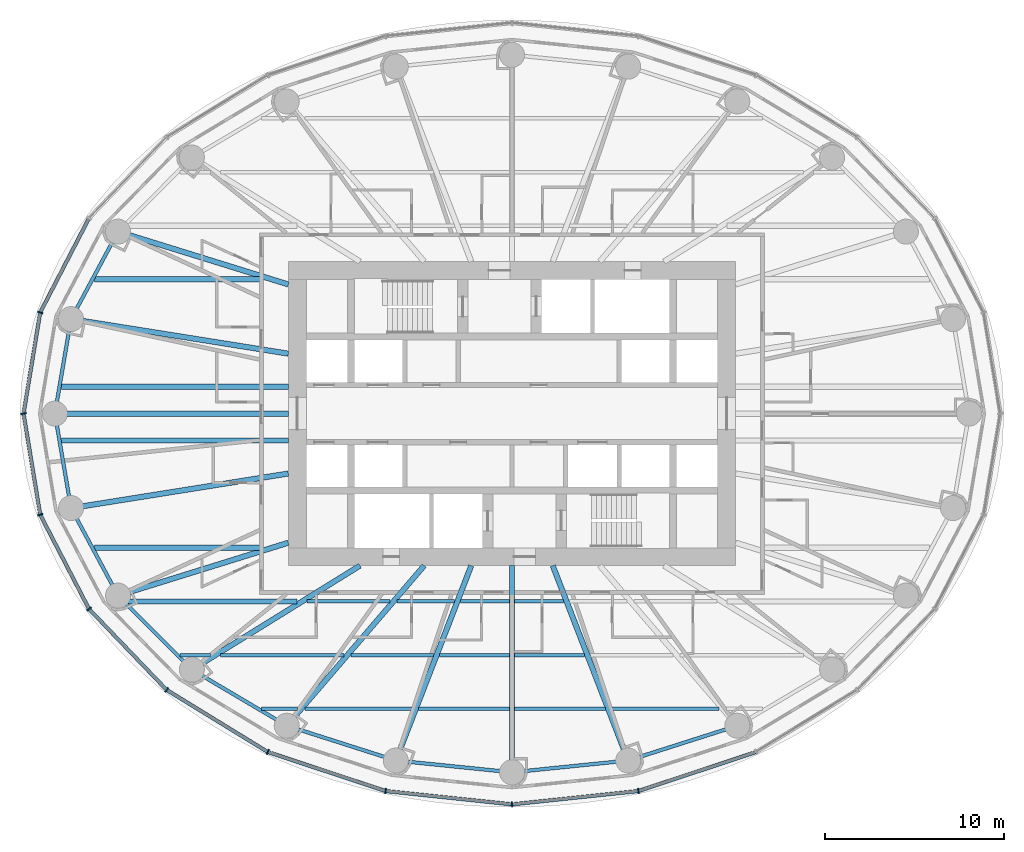
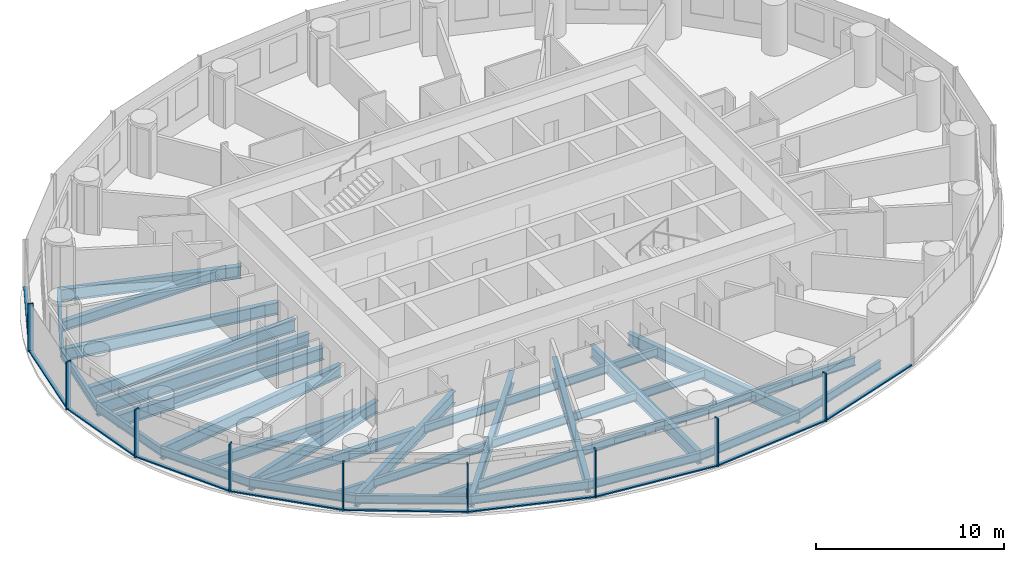
# One storey, part 2 of 14: 39 beams, 19 members, 3 elements without a shape of their own.
"""IFC4 building model written with IfcOpenShell, lengths in metres."""

from ifc_helpers import new_model, si_unit, direction, frame, origin, origin_2d, place, context, subcontext, project, spatial, rectangle, i_section, extrude, material, material_profile, profile_set, type_object, element, aggregate, save


model = new_model("IFC4")

# Units and contexts
model_context = context("Model", 3, precision=1e-05, world=origin(), true_north=direction((0.0, 1.0)))
body_context = subcontext(model_context, "Body", "Model", "MODEL_VIEW")
ifc_project = project(units=[si_unit("LENGTHUNIT", "METRE"), si_unit("AREAUNIT", "SQUARE_METRE"), si_unit("VOLUMEUNIT", "CUBIC_METRE"), si_unit("PLANEANGLEUNIT", "RADIAN"), si_unit("MASSUNIT", "GRAM", prefix="KILO")], contexts=[model_context])

# Site, building, storey
site_placement = place(None, origin())
site = spatial("IfcSite", under=ifc_project, at=site_placement, CompositionType="ELEMENT")
building_placement = place(site_placement, origin())
building = spatial("IfcBuilding", under=site, at=building_placement, Name="Hankou Lantern Tower", CompositionType="ELEMENT")
storey_placement = place(building_placement, frame((0.0, 0.0, 67.199951171875)))
storey = spatial("IfcBuildingStorey", under=building, at=storey_placement, Name="L16", CompositionType="ELEMENT", Elevation=67.199951171875)

# Beams
ifc_material_1 = material(Name="Steel Q355B", Category="steel")
ifc_material_profile_1 = material_profile(ifc_material_1, i_section(OverallWidth=0.199951171875, OverallDepth=0.550048828125, WebThickness=0.010009765625, FlangeThickness=0.01611328125, FilletRadius=0.012939453125, at=origin_2d()), Name="HN550x200x10x16")
ifc_profile_set_1 = profile_set([ifc_material_profile_1], Name="Steel Q355B")
beam_type_1 = type_object("IfcBeamType", Name="EB6 RING BEAM HN550x200x10x16", PredefinedType="SPANDREL", material=ifc_profile_set_1)
beam_1_placement = place(storey_placement, frame((-22.01904296875, 10.170166015625, -0.454833984375), z_axis=(-0.473609096023, -0.880735161194, 0.0), x_axis=(0.880735161194, -0.473609096023, 0.0)))
element("IfcBeam", 1, at=beam_1_placement, inside=storey, type_object=beam_type_1, Name="Ring beam R11-R12 L16", PredefinedType="SPANDREL", context=body_context, shape_type="SweptSolid", body=[
    extrude(i_section(OverallWidth=0.199951171875, OverallDepth=0.550048828125, WebThickness=0.010009765625, FlangeThickness=0.01611328125, FilletRadius=0.012939453125, at=origin_2d()), origin(), (0.0, 0.0, 1.0), 5.548828125),
])
for number, where, z_axis, x_axis, name in (
    (2, (-24.64697265625, 5.283203125, -0.454833984375), (-0.168489691988, -0.985703415685, 0.0), (0.985703415685, -0.168489691988, 0.0), "Ring beam R12-R13 L16"),
    (3, (-25.550048828125, 0.0, -0.454833984375), (0.168489691988, -0.985703415685, 0.0), (0.985703415685, 0.168489691988, 0.0), "Ring beam R13-R14 L16"),
):
    element("IfcBeam", number, at=place(storey_placement, frame(where, z_axis=z_axis, x_axis=x_axis)), inside=storey, type_object=beam_type_1, Name=name, PredefinedType="SPANDREL", context=body_context, shape_type="SweptSolid", body=[
        extrude(i_section(OverallWidth=0.199951171875, OverallDepth=0.550048828125, WebThickness=0.010009765625, FlangeThickness=0.01611328125, FilletRadius=0.012939453125, at=origin_2d()), origin(), (0.0, 0.0, 1.0), 5.35986328125),
    ])
beam_2_placement = place(storey_placement, frame((-24.64697265625, -5.283203125, -0.454833984375), z_axis=(0.473609096023, -0.880735161194, 0.0), x_axis=(0.880735161194, 0.473609096023, 0.0)))
element("IfcBeam", 4, at=beam_2_placement, inside=storey, type_object=beam_type_1, Name="Ring beam R14-R15 L16", PredefinedType="SPANDREL", context=body_context, shape_type="SweptSolid", body=[
    extrude(i_section(OverallWidth=0.199951171875, OverallDepth=0.550048828125, WebThickness=0.010009765625, FlangeThickness=0.01611328125, FilletRadius=0.012939453125, at=origin_2d()), origin(), (0.0, 0.0, 1.0), 5.548828125),
])
beam_3_placement = place(storey_placement, frame((-22.01904296875, -10.170166015625, -0.454833984375), z_axis=(0.705727798394, -0.708483079949, 0.0), x_axis=(0.708483079949, 0.705727798394, 0.0)))
element("IfcBeam", 5, at=beam_3_placement, inside=storey, type_object=beam_type_1, Name="Ring beam R15-R16 L16", PredefinedType="SPANDREL", context=body_context, shape_type="SweptSolid", body=[
    extrude(i_section(OverallWidth=0.199951171875, OverallDepth=0.550048828125, WebThickness=0.010009765625, FlangeThickness=0.01611328125, FilletRadius=0.012939453125, at=origin_2d()), origin(), (0.0, 0.0, 1.0), 5.84814453125),
])
beam_4_placement = place(storey_placement, frame((-17.891845703125, -14.3134765625, -0.454833984375), z_axis=(0.860881533543, -0.508805449268, 0.0), x_axis=(0.508805449268, 0.860881533543, 0.0)))
element("IfcBeam", 6, at=beam_4_placement, inside=storey, type_object=beam_type_1, Name="Ring beam R16-R17 L16", PredefinedType="SPANDREL", context=body_context, shape_type="SweptSolid", body=[
    extrude(i_section(OverallWidth=0.199951171875, OverallDepth=0.550048828125, WebThickness=0.010009765625, FlangeThickness=0.01611328125, FilletRadius=0.012939453125, at=origin_2d()), origin(), (0.0, 0.0, 1.0), 6.15771484375),
])
beam_5_placement = place(storey_placement, frame((-12.5908203125, -17.446533203125, -0.454833984375), z_axis=(0.952690479428, -0.303942182671, 0.0), x_axis=(0.303942182671, 0.952690479428, 0.0)))
element("IfcBeam", 7, at=beam_5_placement, inside=storey, type_object=beam_type_1, Name="Ring beam R17-R18 L16", PredefinedType="SPANDREL", context=body_context, shape_type="SweptSolid", body=[
    extrude(i_section(OverallWidth=0.199951171875, OverallDepth=0.550048828125, WebThickness=0.010009765625, FlangeThickness=0.01611328125, FilletRadius=0.012939453125, at=origin_2d()), origin(), (0.0, 0.0, 1.0), 6.398681640625),
])
for number, where, z_axis, x_axis, name in (
    (8, (-6.494873046875, -19.391357421875, -0.454833984375), (0.994896616842, -0.100899562915, 0.0), (0.100899562915, 0.994896616842, 0.0), "Ring beam R18-R19 L16"),
    (9, (0.0, -20.050048828125, -0.454833984375), (0.994896616842, 0.100899562915, 0.0), (-0.100899562915, 0.994896616842, 0.0), "Ring beam R19-R20 L16"),
):
    element("IfcBeam", number, at=place(storey_placement, frame(where, z_axis=z_axis, x_axis=x_axis)), inside=storey, type_object=beam_type_1, Name=name, PredefinedType="SPANDREL", context=body_context, shape_type="SweptSolid", body=[
        extrude(i_section(OverallWidth=0.199951171875, OverallDepth=0.550048828125, WebThickness=0.010009765625, FlangeThickness=0.01611328125, FilletRadius=0.012939453125, at=origin_2d()), origin(), (0.0, 0.0, 1.0), 6.528076171875),
    ])
beam_6_placement = place(storey_placement, frame((6.494873046875, -19.391357421875, -0.454833984375), z_axis=(0.952690479428, 0.303942182671, 0.0), x_axis=(-0.303942182671, 0.952690479428, 0.0)))
element("IfcBeam", 10, at=beam_6_placement, inside=storey, type_object=beam_type_1, Name="Ring beam R20-R21 L16", PredefinedType="SPANDREL", context=body_context, shape_type="SweptSolid", body=[
    extrude(i_section(OverallWidth=0.199951171875, OverallDepth=0.550048828125, WebThickness=0.010009765625, FlangeThickness=0.01611328125, FilletRadius=0.012939453125, at=origin_2d()), origin(), (0.0, 0.0, 1.0), 6.398681640625),
])

# Curtain wall, member
ifc_material_2 = material(Name="Glass, dark grey tinted laminated", Category="glass")
curtain_wall_type = type_object("IfcCurtainWallType", Name="CWA OUTER SKIN LOW-RISE", PredefinedType="USERDEFINED", material=ifc_material_2)
curtain_wall_1_placement = place(storey_placement, origin())
curtain_wall_1 = element("IfcCurtainWall", 11, at=curtain_wall_1_placement, inside=storey, type_object=curtain_wall_type, Name="CWA L16 OS2", ObjectType="OUTER SKIN LOW-RISE", PredefinedType="USERDEFINED")
ifc_material_3 = material(Name="Aluminium, black anodised", Category="aluminium")
ifc_material_profile_2 = material_profile(ifc_material_3, rectangle(XDim=0.080078125, YDim=0.300048828125, at=origin_2d()), Name="MU1 80X300")
ifc_profile_set_2 = profile_set([ifc_material_profile_2], Name="Aluminium, black anodised")
member_type_1 = type_object("IfcMemberType", Name="MU1 OUTER SKIN MULLION 80X300", PredefinedType="MULLION", material=ifc_profile_set_2)
member_1_placement = place(storey_placement, frame((-26.369873046875, 5.652587890625, 0.0), z_axis=(0.0, 0.0, 1.0), x_axis=(-0.317595577365, -0.94822626479, 0.0)))
member_1 = element("IfcMember", 12, at=member_1_placement, type_object=member_type_1, Name="CWA mullion 6", PredefinedType="MULLION", context=body_context, shape_type="SweptSolid", body=[
    extrude(rectangle(XDim=0.080078125, YDim=0.300048828125, at=origin_2d()), origin(), (0.0, 0.0, 1.0), 3.1201171875),
])

# Curtain wall, members
curtain_wall_2_placement = place(storey_placement, origin())
curtain_wall_2 = element("IfcCurtainWall", 13, at=curtain_wall_2_placement, inside=storey, type_object=curtain_wall_type, Name="CWA L16 OS3", ObjectType="OUTER SKIN LOW-RISE", PredefinedType="USERDEFINED")
member_2_placement = place(storey_placement, frame((-27.300048828125, 0.0, 0.0), z_axis=(0.0, 0.0, 1.0), x_axis=(0.162381515188, -0.986728049427, 0.0)))
member_2 = element("IfcMember", 14, at=member_2_placement, type_object=member_type_1, Name="CWA mullion 1", PredefinedType="MULLION", context=body_context, shape_type="SweptSolid", body=[
    extrude(rectangle(XDim=0.080078125, YDim=0.300048828125, at=origin_2d()), origin(), (0.0, 0.0, 1.0), 3.1201171875),
])
member_3_placement = place(storey_placement, frame((-26.369873046875, -5.652587890625, 0.0), z_axis=(0.0, 0.0, 1.0), x_axis=(0.317595577365, -0.94822626479, 0.0)))
member_3 = element("IfcMember", 15, at=member_3_placement, type_object=member_type_1, Name="CWA mullion 2", PredefinedType="MULLION", context=body_context, shape_type="SweptSolid", body=[
    extrude(rectangle(XDim=0.080078125, YDim=0.300048828125, at=origin_2d()), origin(), (0.0, 0.0, 1.0), 3.1201171875),
])
member_4_placement = place(storey_placement, frame((-23.642578125, -10.919921875, 0.0), z_axis=(0.0, 0.0, 1.0), x_axis=(0.585205735974, -0.810884854084, 0.0)))
member_4 = element("IfcMember", 16, at=member_4_placement, type_object=member_type_1, Name="CWA mullion 3", PredefinedType="MULLION", context=body_context, shape_type="SweptSolid", body=[
    extrude(rectangle(XDim=0.080078125, YDim=0.300048828125, at=origin_2d()), origin(), (0.0, 0.0, 1.0), 3.1201171875),
])
member_5_placement = place(storey_placement, frame((-19.303955078125, -15.443115234375, 0.0), z_axis=(0.0, 0.0, 1.0), x_axis=(0.780868809444, -0.624695047553, 0.0)))
member_5 = element("IfcMember", 17, at=member_5_placement, type_object=member_type_1, Name="CWA mullion 4", PredefinedType="MULLION", context=body_context, shape_type="SweptSolid", body=[
    extrude(rectangle(XDim=0.080078125, YDim=0.300048828125, at=origin_2d()), origin(), (0.0, 0.0, 1.0), 3.1201171875),
])
member_6_placement = place(storey_placement, frame((-13.64990234375, -18.9140625, 0.0), z_axis=(0.0, 0.0, 1.0), x_axis=(0.907841299004, -0.419313934686, 0.0)))
member_6 = element("IfcMember", 18, at=member_6_placement, type_object=member_type_1, Name="CWA mullion 5", PredefinedType="MULLION", context=body_context, shape_type="SweptSolid", body=[
    extrude(rectangle(XDim=0.080078125, YDim=0.300048828125, at=origin_2d()), origin(), (0.0, 0.0, 1.0), 3.1201171875),
])
member_7_placement = place(storey_placement, frame((-7.065673828125, -21.095703125, 0.0), z_axis=(0.0, 0.0, 1.0), x_axis=(0.977787659625, -0.209597931016, 0.0)))
member_7 = element("IfcMember", 19, at=member_7_placement, type_object=member_type_1, Name="CWA mullion 6", PredefinedType="MULLION", context=body_context, shape_type="SweptSolid", body=[
    extrude(rectangle(XDim=0.080078125, YDim=0.300048828125, at=origin_2d()), origin(), (0.0, 0.0, 1.0), 3.1201171875),
])

curtain_wall_3_placement = place(storey_placement, origin())
curtain_wall_3 = element("IfcCurtainWall", 20, at=curtain_wall_3_placement, inside=storey, type_object=curtain_wall_type, Name="CWA L16 OS4", ObjectType="OUTER SKIN LOW-RISE", PredefinedType="USERDEFINED")
member_8_placement = place(storey_placement, frame((0.0, -21.840087890625, 0.0), z_axis=(0.0, 0.0, 1.0), x_axis=(0.994499359107, 0.104742659579, 0.0)))
member_8 = element("IfcMember", 21, at=member_8_placement, type_object=member_type_1, Name="CWA mullion 1", PredefinedType="MULLION", context=body_context, shape_type="SweptSolid", body=[
    extrude(rectangle(XDim=0.080078125, YDim=0.300048828125, at=origin_2d()), origin(), (0.0, 0.0, 1.0), 3.1201171875),
])
member_9_placement = place(storey_placement, frame((7.065673828125, -21.095703125, 0.0), z_axis=(0.0, 0.0, 1.0), x_axis=(0.977787659625, 0.209597931016, 0.0)))
member_9 = element("IfcMember", 22, at=member_9_placement, type_object=member_type_1, Name="CWA mullion 2", PredefinedType="MULLION", context=body_context, shape_type="SweptSolid", body=[
    extrude(rectangle(XDim=0.080078125, YDim=0.300048828125, at=origin_2d()), origin(), (0.0, 0.0, 1.0), 3.1201171875),
])

# Beams
ifc_material_4 = material(Name="Steel Q355B", Category="steel")
ifc_material_profile_3 = material_profile(ifc_material_4, i_section(OverallWidth=0.300048828125, OverallDepth=0.800048828125, WebThickness=0.013916015625, FlangeThickness=0.02587890625, FilletRadius=0.01806640625, at=origin_2d()), Name="HN800x300x14x26")
ifc_profile_set_3 = profile_set([ifc_material_profile_3], Name="Steel Q355B")
beam_type_2 = type_object("IfcBeamType", Name="RB11 RADIAL BEAM HN800x300x14x26", PredefinedType="BEAM", material=ifc_profile_set_3)
beam_7_placement = place(storey_placement, frame((-12.5, 7.216796875, -0.579833984375), z_axis=(-0.955087327755, 0.29632447817, 0.0), x_axis=(-0.29632447817, -0.955087327755, 0.0)))
element("IfcBeam", 23, at=beam_7_placement, inside=storey, type_object=beam_type_2, Name="Radial beam R11 L16", PredefinedType="BEAM", context=body_context, shape_type="SweptSolid", body=[
    extrude(i_section(OverallWidth=0.300048828125, OverallDepth=0.800048828125, WebThickness=0.013916015625, FlangeThickness=0.02587890625, FilletRadius=0.01806640625, at=origin_2d()), origin(), (0.0, 0.0, 1.0), 9.966552734375),
])
for number, where, z_axis, x_axis, name in (
    (24, (-12.5, 3.349365234375, -0.579833984375), (-0.987563081343, 0.157223281893, 0.0), (-0.157223281893, -0.987563081343, 0.0), "Radial beam R12 L16"),
    (25, (-12.5, -3.349365234375, -0.579833984375), (-0.987563081343, -0.157223281893, 0.0), (0.157223281893, -0.987563081343, 0.0), "Radial beam R14 L16"),
):
    element("IfcBeam", number, at=place(storey_placement, frame(where, z_axis=z_axis, x_axis=x_axis)), inside=storey, type_object=beam_type_2, Name=name, PredefinedType="BEAM", context=body_context, shape_type="SweptSolid", body=[
        extrude(i_section(OverallWidth=0.300048828125, OverallDepth=0.800048828125, WebThickness=0.013916015625, FlangeThickness=0.02587890625, FilletRadius=0.01806640625, at=origin_2d()), origin(), (0.0, 0.0, 1.0), 12.300048828125),
    ])
beam_8_placement = place(storey_placement, frame((-12.5, -7.216796875, -0.579833984375), z_axis=(-0.955087327755, -0.29632447817, 0.0), x_axis=(0.29632447817, -0.955087327755, 0.0)))
element("IfcBeam", 26, at=beam_8_placement, inside=storey, type_object=beam_type_2, Name="Radial beam R15 L16", PredefinedType="BEAM", context=body_context, shape_type="SweptSolid", body=[
    extrude(i_section(OverallWidth=0.300048828125, OverallDepth=0.800048828125, WebThickness=0.013916015625, FlangeThickness=0.02587890625, FilletRadius=0.01806640625, at=origin_2d()), origin(), (0.0, 0.0, 1.0), 9.966552734375),
])
beam_9_placement = place(storey_placement, frame((-8.5, -8.5, -0.579833984375), z_axis=(-0.850286343288, -0.526320372414, 0.0), x_axis=(0.526320372414, -0.850286343288, 0.0)))
element("IfcBeam", 27, at=beam_9_placement, inside=storey, type_object=beam_type_2, Name="Radial beam R16 L16", PredefinedType="BEAM", context=body_context, shape_type="SweptSolid", body=[
    extrude(i_section(OverallWidth=0.300048828125, OverallDepth=0.800048828125, WebThickness=0.013916015625, FlangeThickness=0.02587890625, FilletRadius=0.01806640625, at=origin_2d()), origin(), (0.0, 0.0, 1.0), 11.04541015625),
])
beam_10_placement = place(storey_placement, frame((-4.907470703125, -8.5, -0.579833984375), z_axis=(-0.651519061225, -0.758632264579, 0.0), x_axis=(0.758632264579, -0.651519061225, 0.0)))
element("IfcBeam", 28, at=beam_10_placement, inside=storey, type_object=beam_type_2, Name="Radial beam R17 L16", PredefinedType="BEAM", context=body_context, shape_type="SweptSolid", body=[
    extrude(i_section(OverallWidth=0.300048828125, OverallDepth=0.800048828125, WebThickness=0.013916015625, FlangeThickness=0.02587890625, FilletRadius=0.01806640625, at=origin_2d()), origin(), (0.0, 0.0, 1.0), 11.79296875),
])
beam_11_placement = place(storey_placement, frame((-2.277587890625, -8.5, -0.579833984375), z_axis=(-0.361089103374, -0.932531318201, 0.0), x_axis=(0.932531318201, -0.361089103374, 0.0)))
element("IfcBeam", 29, at=beam_11_placement, inside=storey, type_object=beam_type_2, Name="Radial beam R18 L16", PredefinedType="BEAM", context=body_context, shape_type="SweptSolid", body=[
    extrude(i_section(OverallWidth=0.300048828125, OverallDepth=0.800048828125, WebThickness=0.013916015625, FlangeThickness=0.02587890625, FilletRadius=0.01806640625, at=origin_2d()), origin(), (0.0, 0.0, 1.0), 11.679443359375),
])
beam_12_placement = place(storey_placement, frame((0.0, -8.5, -0.579833984375), z_axis=(0.0, -1.0, 0.0), x_axis=(1.0, 0.0, 0.0)))
element("IfcBeam", 30, at=beam_12_placement, inside=storey, type_object=beam_type_2, Name="Radial beam R19 L16", PredefinedType="BEAM", context=body_context, shape_type="SweptSolid", body=[
    extrude(i_section(OverallWidth=0.300048828125, OverallDepth=0.800048828125, WebThickness=0.013916015625, FlangeThickness=0.02587890625, FilletRadius=0.01806640625, at=origin_2d()), origin(), (0.0, 0.0, 1.0), 11.550048828125),
])
beam_13_placement = place(storey_placement, frame((2.277587890625, -8.5, -0.579833984375), z_axis=(0.361089103374, -0.932531318201, 0.0), x_axis=(0.932531318201, 0.361089103374, 0.0)))
element("IfcBeam", 31, at=beam_13_placement, inside=storey, type_object=beam_type_2, Name="Radial beam R20 L16", PredefinedType="BEAM", context=body_context, shape_type="SweptSolid", body=[
    extrude(i_section(OverallWidth=0.300048828125, OverallDepth=0.800048828125, WebThickness=0.013916015625, FlangeThickness=0.02587890625, FilletRadius=0.01806640625, at=origin_2d()), origin(), (0.0, 0.0, 1.0), 11.679443359375),
])
ifc_material_5 = material(Name="Steel Q355B", Category="steel")
ifc_material_profile_4 = material_profile(ifc_material_5, i_section(OverallWidth=0.300048828125, OverallDepth=0.85009765625, WebThickness=0.01611328125, FlangeThickness=0.027099609375, FilletRadius=0.01806640625, at=origin_2d()), Name="HN850x300x16x27")
ifc_profile_set_4 = profile_set([ifc_material_profile_4], Name="Steel Q355B")
beam_type_3 = type_object("IfcBeamType", Name="RB12 RADIAL BEAM HN850x300x16x27", PredefinedType="BEAM", material=ifc_profile_set_4)
beam_14_placement = place(storey_placement, frame((-12.5, 0.0, -0.60498046875), z_axis=(-1.0, 0.0, 0.0), x_axis=(0.0, -1.0, 0.0)))
element("IfcBeam", 32, at=beam_14_placement, inside=storey, type_object=beam_type_3, Name="Radial beam R13 L16", PredefinedType="BEAM", context=body_context, shape_type="SweptSolid", body=[
    extrude(i_section(OverallWidth=0.300048828125, OverallDepth=0.85009765625, WebThickness=0.01611328125, FlangeThickness=0.027099609375, FilletRadius=0.01806640625, at=origin_2d()), origin(), (0.0, 0.0, 1.0), 13.050048828125),
])
ifc_material_6 = material(Name="Steel Q355B", Category="steel")
ifc_material_profile_5 = material_profile(ifc_material_6, i_section(OverallWidth=0.300048828125, OverallDepth=0.800048828125, WebThickness=0.013916015625, FlangeThickness=0.02587890625, FilletRadius=0.01806640625, at=origin_2d()), Name="HN800x300x14x26")
ifc_profile_set_5 = profile_set([ifc_material_profile_5], Name="Steel Q355B")
beam_type_4 = type_object("IfcBeamType", Name="SB11 SECONDARY BEAM HN800x300x14x26", PredefinedType="JOIST", material=ifc_profile_set_5)
for number, where, z_axis, x_axis, name in (
    (33, (-25.192138671875, -1.5, -0.579833984375), (1.0, 0.0, 0.0), (0.0, 1.0, 0.0), "Floor joist J029 L16"),
    (34, (-25.192138671875, 1.5, -0.579833984375), (1.0, 0.0, 0.0), (0.0, 1.0, 0.0), "Floor joist J031 L16"),
):
    element("IfcBeam", number, at=place(storey_placement, frame(where, z_axis=z_axis, x_axis=x_axis)), inside=storey, type_object=beam_type_4, Name=name, PredefinedType="JOIST", context=body_context, shape_type="SweptSolid", body=[
        extrude(i_section(OverallWidth=0.300048828125, OverallDepth=0.800048828125, WebThickness=0.013916015625, FlangeThickness=0.02587890625, FilletRadius=0.01806640625, at=origin_2d()), origin(), (0.0, 0.0, 1.0), 12.692138671875),
    ])
ifc_material_7 = material(Name="Steel Q355B", Category="steel")
ifc_material_profile_6 = material_profile(ifc_material_7, i_section(OverallWidth=0.199951171875, OverallDepth=0.550048828125, WebThickness=0.010009765625, FlangeThickness=0.01611328125, FilletRadius=0.012939453125, at=origin_2d()), Name="HN550x200x10x16")
ifc_profile_set_6 = profile_set([ifc_material_profile_6], Name="Steel Q355B")
beam_type_5 = type_object("IfcBeamType", Name="SB6 SECONDARY BEAM HN550x200x10x16", PredefinedType="JOIST", material=ifc_profile_set_6)
beam_15_placement = place(storey_placement, frame((-13.99560546875, -16.5, -0.454833984375), z_axis=(1.0, 0.0, 0.0), x_axis=(0.0, 1.0, 0.0)))
element("IfcBeam", 35, at=beam_15_placement, inside=storey, type_object=beam_type_5, Name="Floor joist J001 L16", PredefinedType="JOIST", context=body_context, shape_type="SweptSolid", body=[
    extrude(i_section(OverallWidth=0.199951171875, OverallDepth=0.550048828125, WebThickness=0.010009765625, FlangeThickness=0.01611328125, FilletRadius=0.012939453125, at=origin_2d()), origin(), (0.0, 0.0, 1.0), 2.019775390625),
])
beam_16_placement = place(storey_placement, frame((-11.580322265625, -16.5, -0.454833984375), z_axis=(1.0, 0.0, 0.0), x_axis=(0.0, 1.0, 0.0)))
element("IfcBeam", 36, at=beam_16_placement, inside=storey, type_object=beam_type_5, Name="Floor joist J002 L16", PredefinedType="JOIST", context=body_context, shape_type="SweptSolid", body=[
    extrude(i_section(OverallWidth=0.199951171875, OverallDepth=0.550048828125, WebThickness=0.010009765625, FlangeThickness=0.01611328125, FilletRadius=0.012939453125, at=origin_2d()), origin(), (0.0, 0.0, 1.0), 6.044189453125),
])
for number, where, z_axis, x_axis, name in (
    (37, (-5.21435546875, -16.5, -0.454833984375), (1.0, 0.0, 0.0), (0.0, 1.0, 0.0), "Floor joist J003 L16"),
    (38, (0.14990234375, -16.5, -0.454833984375), (1.0, 0.0, 0.0), (0.0, 1.0, 0.0), "Floor joist J004 L16"),
):
    element("IfcBeam", number, at=place(storey_placement, frame(where, z_axis=z_axis, x_axis=x_axis)), inside=storey, type_object=beam_type_5, Name=name, PredefinedType="JOIST", context=body_context, shape_type="SweptSolid", body=[
        extrude(i_section(OverallWidth=0.199951171875, OverallDepth=0.550048828125, WebThickness=0.010009765625, FlangeThickness=0.01611328125, FilletRadius=0.012939453125, at=origin_2d()), origin(), (0.0, 0.0, 1.0), 5.064453125),
    ])
beam_17_placement = place(storey_placement, frame((5.5361328125, -16.5, -0.454833984375), z_axis=(1.0, 0.0, 0.0), x_axis=(0.0, 1.0, 0.0)))
element("IfcBeam", 39, at=beam_17_placement, inside=storey, type_object=beam_type_5, Name="Floor joist J005 L16", PredefinedType="JOIST", context=body_context, shape_type="SweptSolid", body=[
    extrude(i_section(OverallWidth=0.199951171875, OverallDepth=0.550048828125, WebThickness=0.010009765625, FlangeThickness=0.01611328125, FilletRadius=0.012939453125, at=origin_2d()), origin(), (0.0, 0.0, 1.0), 6.044189453125),
])
beam_18_placement = place(storey_placement, frame((-18.560791015625, -13.5, -0.454833984375), z_axis=(1.0, 0.0, 0.0), x_axis=(0.0, 1.0, 0.0)))
element("IfcBeam", 40, at=beam_18_placement, inside=storey, type_object=beam_type_5, Name="Floor joist J007 L16", PredefinedType="JOIST", context=body_context, shape_type="SweptSolid", body=[
    extrude(i_section(OverallWidth=0.199951171875, OverallDepth=0.550048828125, WebThickness=0.010009765625, FlangeThickness=0.01611328125, FilletRadius=0.012939453125, at=origin_2d()), origin(), (0.0, 0.0, 1.0), 1.697998046875),
])
beam_19_placement = place(storey_placement, frame((-16.292724609375, -13.5, -0.454833984375), z_axis=(1.0, 0.0, 0.0), x_axis=(0.0, 1.0, 0.0)))
element("IfcBeam", 41, at=beam_19_placement, inside=storey, type_object=beam_type_5, Name="Floor joist J008 L16", PredefinedType="JOIST", context=body_context, shape_type="SweptSolid", body=[
    extrude(i_section(OverallWidth=0.199951171875, OverallDepth=0.550048828125, WebThickness=0.010009765625, FlangeThickness=0.01611328125, FilletRadius=0.012939453125, at=origin_2d()), origin(), (0.0, 0.0, 1.0), 6.893310546875),
])
beam_20_placement = place(storey_placement, frame((-9.00390625, -13.5, -0.454833984375), z_axis=(1.0, 0.0, 0.0), x_axis=(0.0, 1.0, 0.0)))
element("IfcBeam", 42, at=beam_20_placement, inside=storey, type_object=beam_type_5, Name="Floor joist J009 L16", PredefinedType="JOIST", context=body_context, shape_type="SweptSolid", body=[
    extrude(i_section(OverallWidth=0.199951171875, OverallDepth=0.550048828125, WebThickness=0.010009765625, FlangeThickness=0.01611328125, FilletRadius=0.012939453125, at=origin_2d()), origin(), (0.0, 0.0, 1.0), 4.62939453125),
])
for number, where, z_axis, x_axis, name in (
    (43, (-4.052734375, -13.5, -0.454833984375), (1.0, 0.0, 0.0), (0.0, 1.0, 0.0), "Floor joist J010 L16"),
    (44, (0.14990234375, -13.5, -0.454833984375), (1.0, 0.0, 0.0), (0.0, 1.0, 0.0), "Floor joist J011 L16"),
):
    element("IfcBeam", number, at=place(storey_placement, frame(where, z_axis=z_axis, x_axis=x_axis)), inside=storey, type_object=beam_type_5, Name=name, PredefinedType="JOIST", context=body_context, shape_type="SweptSolid", body=[
        extrude(i_section(OverallWidth=0.199951171875, OverallDepth=0.550048828125, WebThickness=0.010009765625, FlangeThickness=0.01611328125, FilletRadius=0.012939453125, at=origin_2d()), origin(), (0.0, 0.0, 1.0), 3.90283203125),
    ])
beam_21_placement = place(storey_placement, frame((-11.446044921875, -10.5, -0.454833984375), z_axis=(1.0, 0.0, 0.0), x_axis=(0.0, 1.0, 0.0)))
element("IfcBeam", 45, at=beam_21_placement, inside=storey, type_object=beam_type_5, Name="Floor joist J016 L16", PredefinedType="JOIST", context=body_context, shape_type="SweptSolid", body=[
    extrude(i_section(OverallWidth=0.199951171875, OverallDepth=0.550048828125, WebThickness=0.010009765625, FlangeThickness=0.01611328125, FilletRadius=0.012939453125, at=origin_2d()), origin(), (0.0, 0.0, 1.0), 4.623291015625),
])
beam_22_placement = place(storey_placement, frame((-6.427490234375, -10.5, -0.454833984375), z_axis=(1.0, 0.0, 0.0), x_axis=(0.0, 1.0, 0.0)))
element("IfcBeam", 46, at=beam_22_placement, inside=storey, type_object=beam_type_5, Name="Floor joist J017 L16", PredefinedType="JOIST", context=body_context, shape_type="SweptSolid", body=[
    extrude(i_section(OverallWidth=0.199951171875, OverallDepth=0.550048828125, WebThickness=0.010009765625, FlangeThickness=0.01611328125, FilletRadius=0.012939453125, at=origin_2d()), origin(), (0.0, 0.0, 1.0), 3.214599609375),
])
for number, where, z_axis, x_axis, name in (
    (47, (-2.89111328125, -10.5, -0.454833984375), (1.0, 0.0, 0.0), (0.0, 1.0, 0.0), "Floor joist J018 L16"),
    (48, (0.14990234375, -10.5, -0.454833984375), (1.0, 0.0, 0.0), (0.0, 1.0, 0.0), "Floor joist J019 L16"),
):
    element("IfcBeam", number, at=place(storey_placement, frame(where, z_axis=z_axis, x_axis=x_axis)), inside=storey, type_object=beam_type_5, Name=name, PredefinedType="JOIST", context=body_context, shape_type="SweptSolid", body=[
        extrude(i_section(OverallWidth=0.199951171875, OverallDepth=0.550048828125, WebThickness=0.010009765625, FlangeThickness=0.01611328125, FilletRadius=0.012939453125, at=origin_2d()), origin(), (0.0, 0.0, 1.0), 2.7412109375),
    ])
ifc_material_8 = material(Name="Steel Q355B", Category="steel")
ifc_material_profile_7 = material_profile(ifc_material_8, i_section(OverallWidth=0.300048828125, OverallDepth=0.64990234375, WebThickness=0.010986328125, FlangeThickness=0.01708984375, FilletRadius=0.01806640625, at=origin_2d()), Name="HN650x300x11x17")
ifc_profile_set_7 = profile_set([ifc_material_profile_7], Name="Steel Q355B")
beam_type_6 = type_object("IfcBeamType", Name="SB8 SECONDARY BEAM HN650x300x11x17", PredefinedType="JOIST", material=ifc_profile_set_7)
beam_23_placement = place(storey_placement, frame((-21.54931640625, -10.5, -0.5048828125), z_axis=(1.0, 0.0, 0.0), x_axis=(0.0, 1.0, 0.0)))
element("IfcBeam", 49, at=beam_23_placement, inside=storey, type_object=beam_type_6, Name="Floor joist J015 L16", PredefinedType="JOIST", context=body_context, shape_type="SweptSolid", body=[
    extrude(i_section(OverallWidth=0.300048828125, OverallDepth=0.64990234375, WebThickness=0.010986328125, FlangeThickness=0.01708984375, FilletRadius=0.01806640625, at=origin_2d()), origin(), (0.0, 0.0, 1.0), 9.533203125),
])
for number, where, z_axis, x_axis, name in (
    (50, (-23.341552734375, -7.5, -0.5048828125), (1.0, 0.0, 0.0), (0.0, 1.0, 0.0), "Floor joist J023 L16"),
    (51, (-23.341552734375, 7.5, -0.5048828125), (1.0, 0.0, 0.0), (0.0, 1.0, 0.0), "Floor joist J037 L16"),
):
    element("IfcBeam", number, at=place(storey_placement, frame(where, z_axis=z_axis, x_axis=x_axis)), inside=storey, type_object=beam_type_6, Name=name, PredefinedType="JOIST", context=body_context, shape_type="SweptSolid", body=[
        extrude(i_section(OverallWidth=0.300048828125, OverallDepth=0.64990234375, WebThickness=0.010986328125, FlangeThickness=0.01708984375, FilletRadius=0.01806640625, at=origin_2d()), origin(), (0.0, 0.0, 1.0), 9.4228515625),
    ])

# Member
ifc_material_9 = material(Name="Aluminium, black anodised", Category="aluminium")
ifc_material_profile_8 = material_profile(ifc_material_9, rectangle(XDim=0.199951171875, YDim=0.080078125, at=origin_2d()), Name="TR1 200X80")
ifc_profile_set_8 = profile_set([ifc_material_profile_8], Name="Aluminium, black anodised")
member_type_2 = type_object("IfcMemberType", Name="TR1 OUTER SKIN TRANSOM 200X80", PredefinedType="USERDEFINED", material=ifc_profile_set_8)
member_10_placement = place(storey_placement, frame((-23.660888671875, 10.884521484375, 0.0400390625), z_axis=(-0.459786096495, -0.888029698529, 0.0), x_axis=(0.888029698529, -0.459786096495, 0.0)))
member_10 = element("IfcMember", 52, at=member_10_placement, type_object=member_type_2, Name="CWA transom 5", ObjectType="TRANSOM", PredefinedType="USERDEFINED", context=body_context, shape_type="SweptSolid", body=[
    extrude(rectangle(XDim=0.199951171875, YDim=0.080078125, at=origin_2d()), origin(), (0.0, 0.0, 1.0), 5.8515625),
])

member_11_placement = place(storey_placement, frame((-26.376220703125, 5.613037109375, 0.0400390625), z_axis=(-0.162387045529, -0.986727139307, 0.0), x_axis=(0.986727139307, -0.162387045529, 0.0)))
member_11 = element("IfcMember", 53, at=member_11_placement, type_object=member_type_2, Name="CWA transom 6", ObjectType="TRANSOM", PredefinedType="USERDEFINED", context=body_context, shape_type="SweptSolid", body=[
    extrude(rectangle(XDim=0.199951171875, YDim=0.080078125, at=origin_2d()), origin(), (0.0, 0.0, 1.0), 5.6484375),
])

aggregate(curtain_wall_1, [member_1, member_10, member_11])

member_12_placement = place(storey_placement, frame((-27.29345703125, -0.03955078125, 0.0400390625), z_axis=(0.162387045529, -0.986727139307, 0.0), x_axis=(0.986727139307, 0.162387045529, 0.0)))
member_12 = element("IfcMember", 54, at=member_12_placement, type_object=member_type_2, Name="CWA transom 1", ObjectType="TRANSOM", PredefinedType="USERDEFINED", context=body_context, shape_type="SweptSolid", body=[
    extrude(rectangle(XDim=0.199951171875, YDim=0.080078125, at=origin_2d()), origin(), (0.0, 0.0, 1.0), 5.6484375),
])

member_13_placement = place(storey_placement, frame((-26.351318359375, -5.688232421875, 0.0400390625), z_axis=(0.459786096495, -0.888029698529, 0.0), x_axis=(0.888029698529, 0.459786096495, 0.0)))
member_13 = element("IfcMember", 55, at=member_13_placement, type_object=member_type_2, Name="CWA transom 2", ObjectType="TRANSOM", PredefinedType="USERDEFINED", context=body_context, shape_type="SweptSolid", body=[
    extrude(rectangle(XDim=0.199951171875, YDim=0.080078125, at=origin_2d()), origin(), (0.0, 0.0, 1.0), 5.8515625),
])

member_14_placement = place(storey_placement, frame((-23.61474609375, -10.948974609375, 0.0400390625), z_axis=(0.692215537374, -0.721690827029, 0.0), x_axis=(0.721690827029, 0.692215537374, 0.0)))
member_14 = element("IfcMember", 56, at=member_14_placement, type_object=member_type_2, Name="CWA transom 3", ObjectType="TRANSOM", PredefinedType="USERDEFINED", context=body_context, shape_type="SweptSolid", body=[
    extrude(rectangle(XDim=0.199951171875, YDim=0.080078125, at=origin_2d()), origin(), (0.0, 0.0, 1.0), 6.187255859375),
])

member_15_placement = place(storey_placement, frame((-19.27001953125, -15.464111328125, 0.0400390625), z_axis=(0.85223969557, -0.523151508929, 0.0), x_axis=(0.523151508929, 0.85223969557, 0.0)))
member_15 = element("IfcMember", 57, at=member_15_placement, type_object=member_type_2, Name="CWA transom 4", ObjectType="TRANSOM", PredefinedType="USERDEFINED", context=body_context, shape_type="SweptSolid", body=[
    extrude(rectangle(XDim=0.199951171875, YDim=0.080078125, at=origin_2d()), origin(), (0.0, 0.0, 1.0), 6.554443359375),
])

member_16_placement = place(storey_placement, frame((-13.612060546875, -18.926513671875, 0.0400390625), z_axis=(0.949237318771, -0.314560825044, 0.0), x_axis=(0.314560825044, 0.949237318771, 0.0)))
member_16 = element("IfcMember", 58, at=member_16_placement, type_object=member_type_2, Name="CWA transom 5", ObjectType="TRANSOM", PredefinedType="USERDEFINED", context=body_context, shape_type="SweptSolid", body=[
    extrude(rectangle(XDim=0.199951171875, YDim=0.080078125, at=origin_2d()), origin(), (0.0, 0.0, 1.0), 6.8564453125),
])

member_17_placement = place(storey_placement, frame((-7.02587890625, -21.10009765625, 0.0400390625), z_axis=(0.994502215033, -0.104715539888, 0.0), x_axis=(0.104715539888, 0.994502215033, 0.0)))
member_17 = element("IfcMember", 59, at=member_17_placement, type_object=member_type_2, Name="CWA transom 6", ObjectType="TRANSOM", PredefinedType="USERDEFINED", context=body_context, shape_type="SweptSolid", body=[
    extrude(rectangle(XDim=0.199951171875, YDim=0.080078125, at=origin_2d()), origin(), (0.0, 0.0, 1.0), 7.024658203125),
])

aggregate(curtain_wall_2, [member_2, member_3, member_4, member_5, member_6, member_7, member_12, member_13, member_14, member_15, member_16, member_17])

member_18_placement = place(storey_placement, frame((0.039794921875, -21.835693359375, 0.0400390625), z_axis=(0.994502215033, 0.104715539888, 0.0), x_axis=(-0.104715539888, 0.994502215033, 0.0)))
member_18 = element("IfcMember", 60, at=member_18_placement, type_object=member_type_2, Name="CWA transom 1", ObjectType="TRANSOM", PredefinedType="USERDEFINED", context=body_context, shape_type="SweptSolid", body=[
    extrude(rectangle(XDim=0.199951171875, YDim=0.080078125, at=origin_2d()), origin(), (0.0, 0.0, 1.0), 7.024658203125),
])

member_19_placement = place(storey_placement, frame((7.103759765625, -21.083251953125, 0.0400390625), z_axis=(0.949237318771, 0.314560825044, 0.0), x_axis=(-0.314560825044, 0.949237318771, 0.0)))
member_19 = element("IfcMember", 61, at=member_19_placement, type_object=member_type_2, Name="CWA transom 2", ObjectType="TRANSOM", PredefinedType="USERDEFINED", context=body_context, shape_type="SweptSolid", body=[
    extrude(rectangle(XDim=0.199951171875, YDim=0.080078125, at=origin_2d()), origin(), (0.0, 0.0, 1.0), 6.8564453125),
])

aggregate(curtain_wall_3, [member_8, member_9, member_18, member_19])

save(model, "model.ifc")
